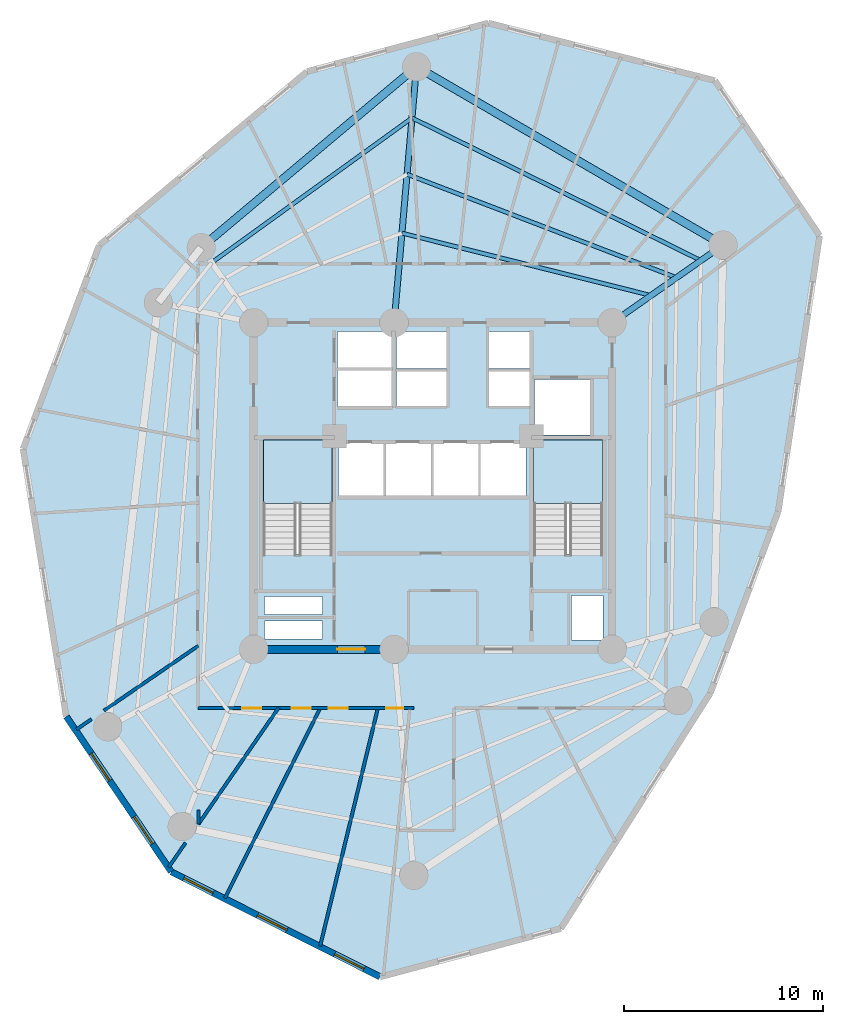
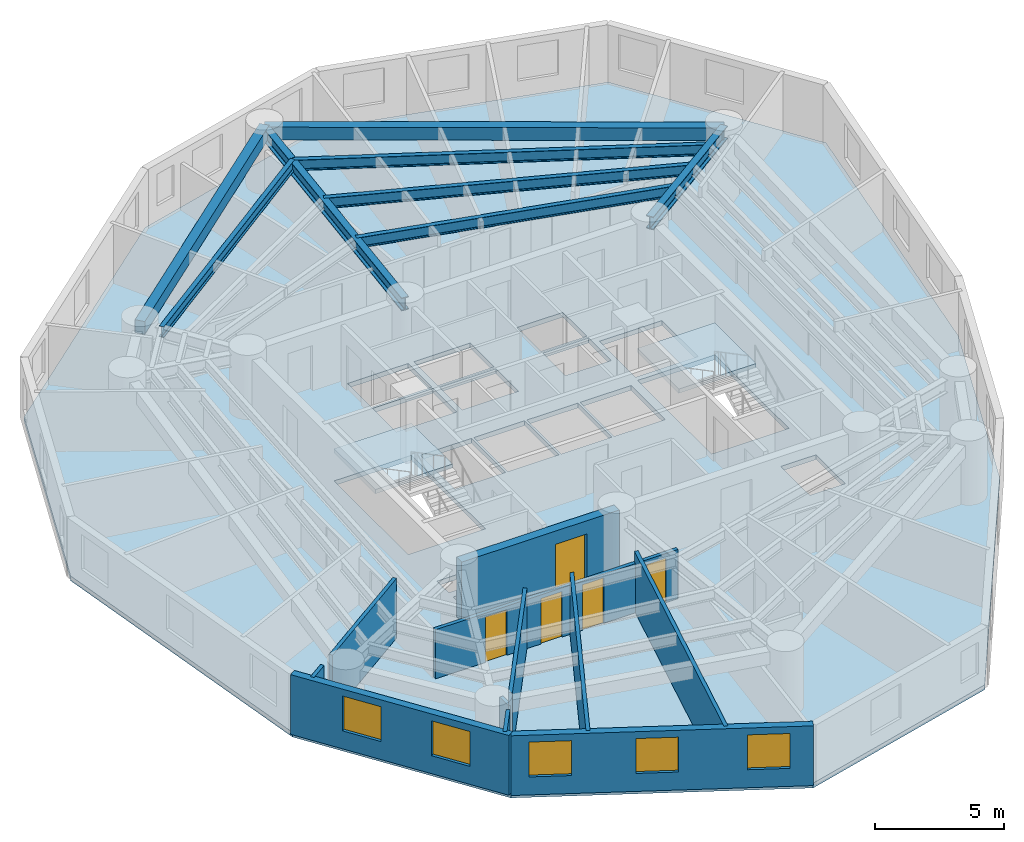
# One storey, part 2 of 7: 11 walls, 8 beams, 5 doors, 5 windows, 3 slabs, 10 openings, 2 elements without a shape of their own.
"""IFC4 building model written with IfcOpenShell, lengths in metres."""

from ifc_helpers import new_model, si_unit, direction, frame, frame_2d, origin, origin_with_axes, origin_2d, place, context, subcontext, project, spatial, polyline, rectangle, i_section, outline, extrude, source, transform, mapped, material, layer, layer_set, material_profile, profile_set, type_object, element, fill, aggregate, save


model = new_model("IFC4")

# Units and contexts
model_context = context("Model", 3, precision=1e-05, world=origin(), true_north=direction((0.0, 1.0)))
body_context = subcontext(model_context, "Body", "Model", "MODEL_VIEW")
ifc_project = project(units=[si_unit("LENGTHUNIT", "METRE"), si_unit("AREAUNIT", "SQUARE_METRE"), si_unit("VOLUMEUNIT", "CUBIC_METRE"), si_unit("PLANEANGLEUNIT", "RADIAN"), si_unit("MASSUNIT", "GRAM", prefix="KILO")], contexts=[model_context])

# Site, building, storey
site_placement = place(None, origin())
site = spatial("IfcSite", under=ifc_project, at=site_placement, CompositionType="ELEMENT")
building_placement = place(site_placement, origin())
building = spatial("IfcBuilding", under=site, at=building_placement, Name="Karkom Vertical University and Central Library", CompositionType="ELEMENT")
storey_placement = place(building_placement, frame((0.0, 0.0, 135.85009765625)))
storey = spatial("IfcBuildingStorey", under=building, at=storey_placement, Name="L38", CompositionType="ELEMENT", Elevation=135.85009765625)

# Beams
ifc_material_1 = material(Name="Precast concrete C45/55", Category="concrete")
ifc_material_profile_1 = material_profile(ifc_material_1, rectangle(XDim=0.39990234375, YDim=0.60009765625, at=origin_2d()), Name="SPB-400x600")
ifc_profile_set_1 = profile_set([ifc_material_profile_1], Name="Precast concrete C45/55")
beam_type_1 = type_object("IfcBeamType", Name="STR-BM-SP-1", PredefinedType="SPANDREL", material=ifc_profile_set_1)
shared_shape_1 = source(origin_with_axes(), body_context, "Body", "SweptSolid", [
    extrude(rectangle(XDim=0.39990234375, YDim=0.60009765625, at=origin_2d()), origin(), (0.0, 0.0, 1.0), 17.808837890625),
])
beam_1_placement = place(storey_placement, frame((43.070068359375, 38.60009765625, 2.52490234375), z_axis=(-0.864512866362, 0.502610688202, 0.0), x_axis=(-0.502610688202, -0.864512866362, 0.0)))
element("IfcBeam", 1, at=beam_1_placement, inside=storey, type_object=beam_type_1, Name="Level 38 Perimeter Spandrel Beam 02", PredefinedType="SPANDREL", context=body_context, shape_type="MappedRepresentation", body=[
    mapped(shared_shape_1, transform((0.0, 0.0, 0.0), scale=1.0)),
])
shared_shape_2 = source(origin_with_axes(), body_context, "Body", "SweptSolid", [
    extrude(rectangle(XDim=0.39990234375, YDim=0.60009765625, at=origin_2d()), origin(), (0.0, 0.0, 1.0), 14.120849609375),
])
beam_2_placement = place(storey_placement, frame((27.674072265625, 47.551025390625, 2.52490234375), z_axis=(-0.765672847866, -0.643230199883, 0.0), x_axis=(0.643230199883, -0.765672847866, 0.0)))
element("IfcBeam", 2, at=beam_2_placement, inside=storey, type_object=beam_type_1, Name="Level 38 Perimeter Spandrel Beam 03", PredefinedType="SPANDREL", context=body_context, shape_type="MappedRepresentation", body=[
    mapped(shared_shape_2, transform((0.0, 0.0, 0.0), scale=1.0)),
])
ifc_material_2 = material(Name="Steel S355", Category="steel")
ifc_material_profile_2 = material_profile(ifc_material_2, i_section(OverallWidth=0.199951171875, OverallDepth=0.5, WebThickness=0.01025390625, FlangeThickness=0.01611328125, FilletRadius=0.02099609375, at=origin_2d()), Name="IPE 500")
ifc_profile_set_2 = profile_set([ifc_material_profile_2], Name="Steel S355")
beam_type_2 = type_object("IfcBeamType", Name="STR-BM-SB-IPE500", PredefinedType="BEAM", material=ifc_profile_set_2)
shared_shape_3 = source(origin_with_axes(), body_context, "Body", "SweptSolid", [
    extrude(i_section(OverallWidth=0.199951171875, OverallDepth=0.5, WebThickness=0.01025390625, FlangeThickness=0.01611328125, FilletRadius=0.02099609375, at=origin_2d()), origin(), (0.0, 0.0, 1.0), 12.892578125),
])
beam_3_placement = place(storey_placement, frame((39.449462890625, 36.06494140625, 2.574951171875), z_axis=(-0.970023194321, 0.243012350468, 0.0), x_axis=(-0.243012350468, -0.970023194321, 0.0)))
element("IfcBeam", 3, at=beam_3_placement, inside=storey, type_object=beam_type_2, Name="Level 38 Secondary Composite Floor Beam 1.02", PredefinedType="BEAM", context=body_context, shape_type="MappedRepresentation", body=[
    mapped(shared_shape_3, transform((0.0, 0.0, 0.0), scale=1.0)),
])
shared_shape_4 = source(origin_with_axes(), body_context, "Body", "SweptSolid", [
    extrude(i_section(OverallWidth=0.199951171875, OverallDepth=0.5, WebThickness=0.01025390625, FlangeThickness=0.01611328125, FilletRadius=0.02099609375, at=origin_2d()), origin(), (0.0, 0.0, 1.0), 14.49072265625),
])
beam_4_placement = place(storey_placement, frame((40.730712890625, 36.9619140625, 2.574951171875), z_axis=(-0.93361673171, 0.35827335691, 0.0), x_axis=(-0.35827335691, -0.93361673171, 0.0)))
element("IfcBeam", 4, at=beam_4_placement, inside=storey, type_object=beam_type_2, Name="Level 38 Secondary Composite Floor Beam 2.02", PredefinedType="BEAM", context=body_context, shape_type="MappedRepresentation", body=[
    mapped(shared_shape_4, transform((0.0, 0.0, 0.0), scale=1.0)),
])
shared_shape_5 = source(origin_with_axes(), body_context, "Body", "SweptSolid", [
    extrude(i_section(OverallWidth=0.199951171875, OverallDepth=0.5, WebThickness=0.01025390625, FlangeThickness=0.01611328125, FilletRadius=0.02099609375, at=origin_2d()), origin(), (0.0, 0.0, 1.0), 16.177978515625),
])
beam_5_placement = place(storey_placement, frame((41.9560546875, 37.820068359375, 2.574951171875), z_axis=(-0.896709262653, 0.442620038263, 0.0), x_axis=(-0.442620038263, -0.896709262653, 0.0)))
element("IfcBeam", 5, at=beam_5_placement, inside=storey, type_object=beam_type_2, Name="Level 38 Secondary Composite Floor Beam 3.02", PredefinedType="BEAM", context=body_context, shape_type="MappedRepresentation", body=[
    mapped(shared_shape_5, transform((0.0, 0.0, 0.0), scale=1.0)),
])
shared_shape_6 = source(origin_with_axes(), body_context, "Body", "SweptSolid", [
    extrude(i_section(OverallWidth=0.199951171875, OverallDepth=0.5, WebThickness=0.01025390625, FlangeThickness=0.01611328125, FilletRadius=0.02099609375, at=origin_2d()), origin(), (0.0, 0.0, 1.0), 12.409423828125),
])
beam_6_placement = place(storey_placement, frame((27.44921875, 44.980712890625, 2.574951171875), z_axis=(-0.810636686292, -0.585549453793, 0.0), x_axis=(0.585549453793, -0.810636686292, 0.0)))
element("IfcBeam", 6, at=beam_6_placement, inside=storey, type_object=beam_type_2, Name="Level 38 Secondary Composite Floor Beam 3.03", PredefinedType="BEAM", context=body_context, shape_type="MappedRepresentation", body=[
    mapped(shared_shape_6, transform((0.0, 0.0, 0.0), scale=1.0)),
])
ifc_material_profile_3 = material_profile(ifc_material_2, i_section(OverallWidth=0.300048828125, OverallDepth=0.60009765625, WebThickness=0.015380859375, FlangeThickness=0.030029296875, FilletRadius=0.027099609375, at=origin_2d()), Name="HE 600 B")
ifc_profile_set_3 = profile_set([ifc_material_profile_3], Name="Steel S355")
beam_type_3 = type_object("IfcBeamType", Name="STR-BM-SB-HE600", PredefinedType="USERDEFINED", material=ifc_profile_set_3)
shared_shape_7 = source(origin_with_axes(), body_context, "Body", "SweptSolid", [
    extrude(i_section(OverallWidth=0.300048828125, OverallDepth=0.60009765625, WebThickness=0.015380859375, FlangeThickness=0.030029296875, FilletRadius=0.027099609375, at=origin_2d()), origin(), (0.0, 0.0, 1.0), 6.7998046875),
])
beam_7_placement = place(storey_placement, frame((37.5, 34.699951171875, 2.52490234375), z_axis=(0.819156008334, 0.573570775066, 0.0), x_axis=(-0.573570775066, 0.819156008334, 0.0)))
element("IfcBeam", 7, at=beam_7_placement, inside=storey, type_object=beam_type_3, Name="Level 38 Radial Frame Girder 02", ObjectType="GIRDER", PredefinedType="USERDEFINED", context=body_context, shape_type="MappedRepresentation", body=[
    mapped(shared_shape_7, transform((0.0, 0.0, 0.0), scale=1.0)),
])
shared_shape_8 = source(origin_with_axes(), body_context, "Body", "SweptSolid", [
    extrude(i_section(OverallWidth=0.300048828125, OverallDepth=0.60009765625, WebThickness=0.015380859375, FlangeThickness=0.030029296875, FilletRadius=0.027099609375, at=origin_2d()), origin(), (0.0, 0.0, 1.0), 12.900146484375),
])
beam_8_placement = place(storey_placement, frame((26.550048828125, 34.699951171875, 2.52490234375), z_axis=(0.087132673751, 0.996196716098, 0.0), x_axis=(-0.996196716098, 0.087132673751, 0.0)))
element("IfcBeam", 8, at=beam_8_placement, inside=storey, type_object=beam_type_3, Name="Level 38 Radial Frame Girder 03", ObjectType="GIRDER", PredefinedType="USERDEFINED", context=body_context, shape_type="MappedRepresentation", body=[
    mapped(shared_shape_8, transform((0.0, 0.0, 0.0), scale=1.0)),
])

# Stair, slab
ifc_material_3 = material(Name="Concrete C45/55", Category="concrete")
stair_type = type_object("IfcStairType", Name="INT-STR-ST-MAIN", PredefinedType="HALF_TURN_STAIR", material=ifc_material_3)
stair_1_placement = place(storey_placement, origin())
stair_1 = element("IfcStair", 9, at=stair_1_placement, inside=storey, type_object=stair_type, Name="Level 38 Tower Protected Exit Stair ST-1", PredefinedType="HALF_TURN_STAIR")
ifc_layer_1 = layer(ifc_material_3, 0.199951171875)
ifc_layer_set_1 = layer_set([ifc_layer_1], Name="Concrete C45/55")
slab_type_1 = type_object("IfcSlabType", Name="INT-SLB-LANDING", PredefinedType="LANDING", material=ifc_layer_set_1)
slab_1_placement = place(storey_placement, frame((0.0, 0.0, 1.324951171875)))
slab_1 = element("IfcSlab", 10, at=slab_1_placement, type_object=slab_type_1, Name="ST-1 landing 1", PredefinedType="LANDING", context=body_context, shape_type="SweptSolid", body=[
    extrude(outline(polyline([(23.43994140625, 25.6298828125), (23.43994140625, 28.820068359375), (19.97998046875, 28.820068359375), (19.97998046875, 25.6298828125), (23.43994140625, 25.6298828125)])), origin(), (0.0, 0.0, 1.0), 0.199951171875),
])
aggregate(stair_1, [slab_1])

stair_2_placement = place(storey_placement, origin())
stair_2 = element("IfcStair", 11, at=stair_2_placement, inside=storey, type_object=stair_type, Name="Level 38 Tower Protected Exit Stair ST-2", PredefinedType="HALF_TURN_STAIR")
slab_2_placement = place(storey_placement, frame((0.0, 0.0, 1.324951171875)))
slab_2 = element("IfcSlab", 12, at=slab_2_placement, type_object=slab_type_1, Name="ST-2 landing 1", PredefinedType="LANDING", context=body_context, shape_type="SweptSolid", body=[
    extrude(outline(polyline([(37.02001953125, 25.6298828125), (37.02001953125, 28.820068359375), (33.56005859375, 28.820068359375), (33.56005859375, 25.6298828125), (37.02001953125, 25.6298828125)])), origin(), (0.0, 0.0, 1.0), 0.199951171875),
])
aggregate(stair_2, [slab_2])

# Slab
ifc_layer_2 = layer(ifc_material_3, 0.22509765625)
ifc_layer_set_2 = layer_set([ifc_layer_2], Name="Concrete C45/55")
slab_type_2 = type_object("IfcSlabType", Name="STR-SLB-FLR-225", PredefinedType="FLOOR", material=ifc_layer_set_2)
slab_3_placement = place(storey_placement, frame((0.0, 0.0, -0.22509765625)))
element("IfcSlab", 13, at=slab_3_placement, inside=storey, type_object=slab_type_2, Name="Level 38 Tower Structural Floor Slab", PredefinedType="FLOOR", context=body_context, shape_type="SweptSolid", body=[
    extrude(outline(polyline([(11.73876953125, 38.5791015625), (7.924072265625, 28.36572265625), (10.08837890625, 14.927978515625), (15.36083984375, 7.127197265625), (25.845703125, 1.85009765625), (34.92138671875, 4.279296875), (42.4287109375, 16.102294921875), (45.83447265625, 25.22119140625), (47.91552734375, 39.07080078125), (42.654296875, 46.85498046875), (31.27734375, 49.742919921875), (22.18212890625, 47.308349609375), (11.73876953125, 38.5791015625)]), holes=[polyline([(19.97998046875, 23.0849609375), (23.43994140625, 23.0849609375), (23.43994140625, 28.820068359375), (19.97998046875, 28.820068359375), (19.97998046875, 23.0849609375)]), polyline([(33.56005859375, 23.0849609375), (37.02001953125, 23.0849609375), (37.02001953125, 28.820068359375), (33.56005859375, 28.820068359375), (33.56005859375, 23.0849609375)]), polyline([(23.75, 26.0), (26.030029296875, 26.0), (26.030029296875, 28.64990234375), (23.75, 28.64990234375), (23.75, 26.0)]), polyline([(26.1298828125, 26.0), (28.409912109375, 26.0), (28.409912109375, 28.64990234375), (26.1298828125, 28.64990234375), (26.1298828125, 26.0)]), polyline([(28.510009765625, 26.0), (30.7900390625, 26.0), (30.7900390625, 28.64990234375), (28.510009765625, 28.64990234375), (28.510009765625, 26.0)]), polyline([(30.889892578125, 26.0), (33.169921875, 26.0), (33.169921875, 28.64990234375), (30.889892578125, 28.64990234375), (30.889892578125, 26.0)]), polyline([(26.679931640625, 30.5), (29.199951171875, 30.5), (29.199951171875, 32.25), (26.679931640625, 32.25), (26.679931640625, 30.5)]), polyline([(26.679931640625, 32.39990234375), (29.199951171875, 32.39990234375), (29.199951171875, 34.25), (26.679931640625, 34.25), (26.679931640625, 32.39990234375)]), polyline([(31.300048828125, 30.5), (33.35009765625, 30.5), (33.35009765625, 32.25), (31.300048828125, 32.25), (31.300048828125, 30.5)]), polyline([(31.300048828125, 32.39990234375), (33.35009765625, 32.39990234375), (33.35009765625, 34.25), (31.300048828125, 34.25), (31.300048828125, 32.39990234375)]), polyline([(23.719970703125, 30.47998046875), (26.429931640625, 30.47998046875), (26.429931640625, 32.320068359375), (23.719970703125, 32.320068359375), (23.719970703125, 30.47998046875)]), polyline([(23.719970703125, 32.419921875), (26.429931640625, 32.419921875), (26.429931640625, 34.260009765625), (23.719970703125, 34.260009765625), (23.719970703125, 32.419921875)]), polyline([(33.60009765625, 29.050048828125), (36.39990234375, 29.050048828125), (36.39990234375, 31.85009765625), (33.60009765625, 31.85009765625), (33.60009765625, 29.050048828125)]), polyline([(20.050048828125, 18.820068359375), (22.949951171875, 18.820068359375), (22.949951171875, 19.719970703125), (20.050048828125, 19.719970703125), (20.050048828125, 18.820068359375)]), polyline([(20.050048828125, 20.06005859375), (22.949951171875, 20.06005859375), (22.949951171875, 20.9599609375), (20.050048828125, 20.9599609375), (20.050048828125, 20.06005859375)]), polyline([(35.4599609375, 18.760009765625), (37.0400390625, 18.760009765625), (37.0400390625, 21.010009765625), (35.4599609375, 21.010009765625), (35.4599609375, 18.760009765625)])]), origin(), (0.0, 0.0, 1.0), 0.22509765625),
])

# Wall, openings, windows
ifc_material_4 = material(Name="Brick-faced precast concrete C45/55", Category="masonry")
ifc_layer_3 = layer(ifc_material_4, 0.320068359375)
ifc_layer_set_3 = layer_set([ifc_layer_3], Name="Brick-faced precast concrete C45/55")
wall_type_1 = type_object("IfcWallType", Name="ENV-WL-BRK-320", PredefinedType="SOLIDWALL", material=ifc_layer_set_3)
wall_1_placement = place(storey_placement, frame((10.08837890625, 14.927978515625, 0.0), z_axis=(0.0, 0.0, 1.0), x_axis=(0.559978653474, -0.828507035368, 0.0)))
wall_1 = element("IfcWall", 14, at=wall_1_placement, inside=storey, type_object=wall_type_1, Name="Level 38 Brick-Faced Precast Facade Wall 03", PredefinedType="SOLIDWALL", context=body_context, shape_type="SweptSolid", body=[
    extrude(rectangle(XDim=9.41552734375, YDim=0.320068359375, at=frame_2d((4.707763671875, 0.0))), origin(), (0.0, 0.0, 1.0), 2.824951171875),
])
opening_1_placement = place(wall_1_placement, frame((2.241455078125, 0.0, 0.85009765625)))
opening_1 = element("IfcOpeningElement", 15, at=opening_1_placement, cuts=wall_1, Name="Opening WN-06", PredefinedType="OPENING", context=body_context, shape_type="SweptSolid", body=[
    extrude(rectangle(XDim=1.64990234375, YDim=1.64990234375, at=frame_2d((0.824951171875, 0.824951171875))), frame((0.0, 0.169921875, 0.0), z_axis=(0.0, -1.0, 0.0), x_axis=(1.0, 0.0, 0.0)), (0.0, 0.0, 1.0), 0.340087890625),
])
opening_2_placement = place(wall_1_placement, frame((6.07568359375, 0.0, 0.85009765625)))
opening_2 = element("IfcOpeningElement", 16, at=opening_2_placement, cuts=wall_1, Name="Opening WN-06", PredefinedType="OPENING", context=body_context, shape_type="SweptSolid", body=[
    extrude(rectangle(XDim=1.64990234375, YDim=1.64990234375, at=frame_2d((0.824951171875, 0.824951171875))), frame((0.0, 0.169921875, 0.0), z_axis=(0.0, -1.0, 0.0), x_axis=(1.0, 0.0, 0.0)), (0.0, 0.0, 1.0), 0.340087890625),
])
ifc_material_5 = material(Name="Aluminium thermal-break frame with solar-control IGU", Category="aluminium")
window_type = type_object("IfcWindowType", Name="ENV-WIN-WN-06", PartitioningType="SINGLE_PANEL", PredefinedType="WINDOW", material=ifc_material_5)
shared_shape_9 = source(origin_with_axes(), body_context, "Body", "SweptSolid", [
    extrude(rectangle(XDim=1.64990234375, YDim=1.64990234375, at=frame_2d((0.824951171875, 0.824951171875))), frame((0.0, 0.030029296875, 0.0), z_axis=(0.0, -1.0, 0.0), x_axis=(1.0, 0.0, 0.0)), (0.0, 0.0, 1.0), 0.06005859375),
])
window_1_placement = place(opening_1_placement, origin())
window_1 = element("IfcWindow", 17, at=window_1_placement, inside=storey, type_object=window_type, Name="Level 38 Punched Window 3.1", OverallHeight=1.64990234375, OverallWidth=1.64990234375, PartitioningType="SINGLE_PANEL", PredefinedType="WINDOW", context=body_context, shape_type="MappedRepresentation", body=[
    mapped(shared_shape_9, transform((0.0, 0.0, 0.0), scale=1.0)),
])
fill(opening_1, window_1)
window_2_placement = place(opening_2_placement, origin())
window_2 = element("IfcWindow", 18, at=window_2_placement, inside=storey, type_object=window_type, Name="Level 38 Punched Window 3.2", OverallHeight=1.64990234375, OverallWidth=1.64990234375, PartitioningType="SINGLE_PANEL", PredefinedType="WINDOW", context=body_context, shape_type="MappedRepresentation", body=[
    mapped(shared_shape_9, transform((0.0, 0.0, 0.0), scale=1.0)),
])
fill(opening_2, window_2)

wall_2_placement = place(storey_placement, frame((15.36083984375, 7.127197265625, 0.0), z_axis=(0.0, 0.0, 1.0), x_axis=(0.893242675261, -0.449574824798, 0.0)))
wall_2 = element("IfcWall", 19, at=wall_2_placement, inside=storey, type_object=wall_type_1, Name="Level 38 Brick-Faced Precast Facade Wall 04", PredefinedType="SOLIDWALL", context=body_context, shape_type="SweptSolid", body=[
    extrude(rectangle(XDim=11.738037109375, YDim=0.320068359375, at=frame_2d((5.869140625, 0.0))), origin(), (0.0, 0.0, 1.0), 2.824951171875),
])
opening_3_placement = place(wall_2_placement, frame((0.70458984375, 0.0, 0.85009765625)))
opening_3 = element("IfcOpeningElement", 20, at=opening_3_placement, cuts=wall_2, Name="Opening WN-06", PredefinedType="OPENING", context=body_context, shape_type="SweptSolid", body=[
    extrude(rectangle(XDim=1.64990234375, YDim=1.64990234375, at=frame_2d((0.824951171875, 0.824951171875))), frame((0.0, 0.169921875, 0.0), z_axis=(0.0, -1.0, 0.0), x_axis=(1.0, 0.0, 0.0)), (0.0, 0.0, 1.0), 0.340087890625),
])
opening_4_placement = place(wall_2_placement, frame((4.848388671875, 0.0, 0.85009765625)))
opening_4 = element("IfcOpeningElement", 21, at=opening_4_placement, cuts=wall_2, Name="Opening WN-06", PredefinedType="OPENING", context=body_context, shape_type="SweptSolid", body=[
    extrude(rectangle(XDim=1.64990234375, YDim=1.64990234375, at=frame_2d((0.824951171875, 0.824951171875))), frame((0.0, 0.169921875, 0.0), z_axis=(0.0, -1.0, 0.0), x_axis=(1.0, 0.0, 0.0)), (0.0, 0.0, 1.0), 0.340087890625),
])
opening_5_placement = place(wall_2_placement, frame((9.187744140625, 0.0, 0.85009765625)))
opening_5 = element("IfcOpeningElement", 22, at=opening_5_placement, cuts=wall_2, Name="Opening WN-06", PredefinedType="OPENING", context=body_context, shape_type="SweptSolid", body=[
    extrude(rectangle(XDim=1.64990234375, YDim=1.64990234375, at=frame_2d((0.824951171875, 0.824951171875))), frame((0.0, 0.169921875, 0.0), z_axis=(0.0, -1.0, 0.0), x_axis=(1.0, 0.0, 0.0)), (0.0, 0.0, 1.0), 0.340087890625),
])
window_3_placement = place(opening_3_placement, origin())
window_3 = element("IfcWindow", 23, at=window_3_placement, inside=storey, type_object=window_type, Name="Level 38 Punched Window 4.1", OverallHeight=1.64990234375, OverallWidth=1.64990234375, PartitioningType="SINGLE_PANEL", PredefinedType="WINDOW", context=body_context, shape_type="MappedRepresentation", body=[
    mapped(shared_shape_9, transform((0.0, 0.0, 0.0), scale=1.0)),
])
fill(opening_3, window_3)
window_4_placement = place(opening_4_placement, origin())
window_4 = element("IfcWindow", 24, at=window_4_placement, inside=storey, type_object=window_type, Name="Level 38 Punched Window 4.2", OverallHeight=1.64990234375, OverallWidth=1.64990234375, PartitioningType="SINGLE_PANEL", PredefinedType="WINDOW", context=body_context, shape_type="MappedRepresentation", body=[
    mapped(shared_shape_9, transform((0.0, 0.0, 0.0), scale=1.0)),
])
fill(opening_4, window_4)
window_5_placement = place(opening_5_placement, origin())
window_5 = element("IfcWindow", 25, at=window_5_placement, inside=storey, type_object=window_type, Name="Level 38 Punched Window 4.3", OverallHeight=1.64990234375, OverallWidth=1.64990234375, PartitioningType="SINGLE_PANEL", PredefinedType="WINDOW", context=body_context, shape_type="MappedRepresentation", body=[
    mapped(shared_shape_9, transform((0.0, 0.0, 0.0), scale=1.0)),
])
fill(opening_5, window_5)

# Wall
ifc_material_6 = material(Name="Insulated metal-stud drywall 160mm", Category="gypsum")
ifc_layer_4 = layer(ifc_material_6, 0.159912109375)
ifc_layer_set_4 = layer_set([ifc_layer_4], Name="Insulated metal-stud drywall 160mm")
wall_type_2 = type_object("IfcWallType", Name="INT-WL-COR-160", PredefinedType="PARTITIONING", material=ifc_layer_set_4)
wall_3_placement = place(storey_placement, frame((25.741943359375, 15.379150390625, 0.0), z_axis=(0.0, 0.0, 1.0), x_axis=(-0.235611924803, -0.971847220961, 0.0)))
element("IfcWall", 26, at=wall_3_placement, inside=storey, type_object=wall_type_2, Name="Level 38 Interior Partition Wall L38-PW-009", PredefinedType="PARTITIONING", context=body_context, shape_type="SweptSolid", body=[
    extrude(rectangle(XDim=12.331787109375, YDim=0.159912109375, at=frame_2d((6.166015625, 0.0))), origin(), (0.0, 0.0, 1.0), 2.824951171875),
])

# Wall, openings, doors
wall_4_placement = place(storey_placement, frame((27.550048828125, 15.35009765625, 0.0), z_axis=(0.0, 0.0, 1.0), x_axis=(-1.0, 0.0, 0.0)))
wall_4 = element("IfcWall", 27, at=wall_4_placement, inside=storey, type_object=wall_type_2, Name="Level 38 Interior Partition Wall L38-CORW-CW-001", PredefinedType="PARTITIONING", context=body_context, shape_type="SweptSolid", body=[
    extrude(rectangle(XDim=10.85009765625, YDim=0.159912109375, at=frame_2d((5.425048828125, 0.0))), origin(), (0.0, 0.0, 1.0), 2.324951171875),
])
opening_6_placement = place(wall_4_placement, frame((7.66259765625, 0.0, 0.0)))
opening_6 = element("IfcOpeningElement", 28, at=opening_6_placement, cuts=wall_4, Name="Opening D-RM1", PredefinedType="OPENING", context=body_context, shape_type="SweptSolid", body=[
    extrude(rectangle(XDim=0.949951171875, YDim=2.14990234375, at=frame_2d((0.47509765625, 1.074951171875))), frame((0.0, 0.08984375, 0.0), z_axis=(0.0, -1.0, 0.0), x_axis=(1.0, 0.0, 0.0)), (0.0, 0.0, 1.0), 0.179931640625),
])
opening_7_placement = place(wall_4_placement, frame((5.18994140625, 0.0, 0.0)))
opening_7 = element("IfcOpeningElement", 29, at=opening_7_placement, cuts=wall_4, Name="Opening D-RM1", PredefinedType="OPENING", context=body_context, shape_type="SweptSolid", body=[
    extrude(rectangle(XDim=0.949951171875, YDim=2.14990234375, at=frame_2d((0.47509765625, 1.074951171875))), frame((0.0, 0.08984375, 0.0), z_axis=(0.0, -1.0, 0.0), x_axis=(1.0, 0.0, 0.0)), (0.0, 0.0, 1.0), 0.179931640625),
])
opening_8_placement = place(wall_4_placement, frame((3.322509765625, 0.0, 0.0)))
opening_8 = element("IfcOpeningElement", 30, at=opening_8_placement, cuts=wall_4, Name="Opening D-RM1", PredefinedType="OPENING", context=body_context, shape_type="SweptSolid", body=[
    extrude(rectangle(XDim=0.949951171875, YDim=2.14990234375, at=frame_2d((0.47509765625, 1.074951171875))), frame((0.0, 0.08984375, 0.0), z_axis=(0.0, -1.0, 0.0), x_axis=(1.0, 0.0, 0.0)), (0.0, 0.0, 1.0), 0.179931640625),
])
opening_9_placement = place(wall_4_placement, frame((0.53466796875, 0.0, 0.0)))
opening_9 = element("IfcOpeningElement", 31, at=opening_9_placement, cuts=wall_4, Name="Opening D-BATH", PredefinedType="OPENING", context=body_context, shape_type="SweptSolid", body=[
    extrude(rectangle(XDim=0.860107421875, YDim=2.10009765625, at=frame_2d((0.43017578125, 1.050048828125))), frame((0.0, 0.08984375, 0.0), z_axis=(0.0, -1.0, 0.0), x_axis=(1.0, 0.0, 0.0)), (0.0, 0.0, 1.0), 0.179931640625),
])
ifc_material_7 = material(Name="Moisture-resistant oak door", Category="wood")
door_type_1 = type_object("IfcDoorType", Name="INT-DR-BATH", OperationType="NOTDEFINED", PredefinedType="DOOR", material=ifc_material_7)
shared_shape_10 = source(origin_with_axes(), body_context, "Body", "SweptSolid", [
    extrude(rectangle(XDim=0.860107421875, YDim=2.10009765625, at=frame_2d((0.43017578125, 1.050048828125))), frame((0.0, 0.02490234375, 0.0), z_axis=(0.0, -1.0, 0.0), x_axis=(1.0, 0.0, 0.0)), (0.0, 0.0, 1.0), 0.050048828125),
])
door_1_placement = place(opening_9_placement, origin())
door_1 = element("IfcDoor", 32, at=door_1_placement, inside=storey, type_object=door_type_1, Name="Level 38 Room Entry Door 050", OperationType="SINGLE_SWING_RIGHT", OverallHeight=2.10009765625, OverallWidth=0.860107421875, PredefinedType="DOOR", context=body_context, shape_type="MappedRepresentation", body=[
    mapped(shared_shape_10, transform((0.0, 0.0, 0.0), scale=1.0)),
])
fill(opening_9, door_1)
ifc_material_8 = material(Name="Solid-core oak veneer door", Category="wood")
door_type_2 = type_object("IfcDoorType", Name="INT-DR-RM1", OperationType="NOTDEFINED", PredefinedType="DOOR", material=ifc_material_8)
shared_shape_11 = source(origin_with_axes(), body_context, "Body", "SweptSolid", [
    extrude(rectangle(XDim=0.949951171875, YDim=2.14990234375, at=frame_2d((0.47509765625, 1.074951171875))), frame((0.0, 0.02490234375, 0.0), z_axis=(0.0, -1.0, 0.0), x_axis=(1.0, 0.0, 0.0)), (0.0, 0.0, 1.0), 0.050048828125),
])
door_2_placement = place(opening_6_placement, origin())
door_2 = element("IfcDoor", 33, at=door_2_placement, inside=storey, type_object=door_type_2, Name="Level 38 Room Entry Door 020", OperationType="SINGLE_SWING_LEFT", OverallHeight=2.14990234375, OverallWidth=0.949951171875, PredefinedType="DOOR", context=body_context, shape_type="MappedRepresentation", body=[
    mapped(shared_shape_11, transform((0.0, 0.0, 0.0), scale=1.0)),
])
fill(opening_6, door_2)
door_3_placement = place(opening_7_placement, origin())
door_3 = element("IfcDoor", 34, at=door_3_placement, inside=storey, type_object=door_type_2, Name="Level 38 Room Entry Door 030", OperationType="SINGLE_SWING_RIGHT", OverallHeight=2.14990234375, OverallWidth=0.949951171875, PredefinedType="DOOR", context=body_context, shape_type="MappedRepresentation", body=[
    mapped(shared_shape_11, transform((0.0, 0.0, 0.0), scale=1.0)),
])
fill(opening_7, door_3)
door_4_placement = place(opening_8_placement, origin())
door_4 = element("IfcDoor", 35, at=door_4_placement, inside=storey, type_object=door_type_2, Name="Level 38 Room Entry Door 040", OperationType="SINGLE_SWING_LEFT", OverallHeight=2.14990234375, OverallWidth=0.949951171875, PredefinedType="DOOR", context=body_context, shape_type="MappedRepresentation", body=[
    mapped(shared_shape_11, transform((0.0, 0.0, 0.0), scale=1.0)),
])
fill(opening_8, door_4)

# Walls
wall_5_placement = place(storey_placement, frame((22.85400390625, 15.376708984375, 0.0), z_axis=(0.0, 0.0, 1.0), x_axis=(-0.448325403078, -0.893870422911, 0.0)))
element("IfcWall", 36, at=wall_5_placement, inside=storey, type_object=wall_type_2, Name="Level 38 Interior Partition Wall L38-PW-008", PredefinedType="PARTITIONING", context=body_context, shape_type="SweptSolid", body=[
    extrude(rectangle(XDim=10.712646484375, YDim=0.159912109375, at=frame_2d((5.3564453125, 0.0))), origin(), (0.0, 0.0, 1.0), 2.824951171875),
])
wall_6_placement = place(storey_placement, frame((20.7587890625, 15.374755859375, 0.0), z_axis=(0.0, 0.0, 1.0), x_axis=(-0.567487382716, -0.823382092627, 0.0)))
element("IfcWall", 37, at=wall_6_placement, inside=storey, type_object=wall_type_2, Name="Level 38 Interior Partition Wall L38-PW-005", PredefinedType="PARTITIONING", context=body_context, shape_type="SweptSolid", body=[
    extrude(rectangle(XDim=7.109619140625, YDim=0.159912109375, at=frame_2d((3.5546875, 0.0))), origin(), (0.0, 0.0, 1.0), 2.824951171875),
])
wall_7_placement = place(storey_placement, frame((16.724609375, 18.481201171875, 0.0), z_axis=(0.0, 0.0, 1.0), x_axis=(-0.8241595355, -0.566357713856, 0.0)))
element("IfcWall", 38, at=wall_7_placement, inside=storey, type_object=wall_type_2, Name="Level 38 Interior Partition Wall L38-PW-004", PredefinedType="PARTITIONING", context=body_context, shape_type="SweptSolid", body=[
    extrude(rectangle(XDim=5.753173828125, YDim=0.159912109375, at=frame_2d((2.87646484375, 0.0))), origin(), (0.0, 0.0, 1.0), 2.824951171875),
])
wall_8_placement = place(storey_placement, frame((16.074951171875, 8.5791015625, 0.0), z_axis=(0.0, 0.0, 1.0), x_axis=(-0.567566818145, -0.823327338876, 0.0)))
element("IfcWall", 39, at=wall_8_placement, inside=storey, type_object=wall_type_2, Name="Level 38 Interior Partition Wall L38-PW-007", PredefinedType="PARTITIONING", context=body_context, shape_type="SweptSolid", body=[
    extrude(rectangle(XDim=1.476806640625, YDim=0.159912109375, at=frame_2d((0.73828125, 0.0))), origin(), (0.0, 0.0, 1.0), 2.824951171875),
])
wall_9_placement = place(storey_placement, frame((11.35205078125, 14.789306640625, 0.0), z_axis=(0.0, 0.0, 1.0), x_axis=(-0.82424554838, -0.566232528186, 0.0)))
element("IfcWall", 40, at=wall_9_placement, inside=storey, type_object=wall_type_2, Name="Level 38 Interior Partition Wall L38-PW-003", PredefinedType="PARTITIONING", context=body_context, shape_type="SweptSolid", body=[
    extrude(rectangle(XDim=0.909423828125, YDim=0.159912109375, at=frame_2d((0.45458984375, 0.0))), origin(), (0.0, 0.0, 1.0), 2.824951171875),
])
wall_10_placement = place(storey_placement, frame((16.72412109375, 9.520751953125, 0.0), z_axis=(0.0, 0.0, 1.0), x_axis=(0.0, 1.0, 0.0)))
element("IfcWall", 41, at=wall_10_placement, inside=storey, type_object=wall_type_2, Name="Level 38 Interior Partition Wall L38-PW-006", PredefinedType="PARTITIONING", context=body_context, shape_type="SweptSolid", body=[
    extrude(rectangle(XDim=0.6982421875, YDim=0.159912109375, at=frame_2d((0.34912109375, 0.0))), origin(), (0.0, 0.0, 1.0), 2.224853515625),
])

# Wall, opening, door
ifc_material_9 = material(Name="Concrete C50/60", Category="concrete")
ifc_layer_5 = layer(ifc_material_9, 0.39990234375)
ifc_layer_set_5 = layer_set([ifc_layer_5], Name="Concrete C50/60")
wall_type_3 = type_object("IfcWallType", Name="STR-WL-CW-400", PredefinedType="SHEAR", material=ifc_layer_set_5)
wall_11_placement = place(storey_placement, frame((19.5, 18.300048828125, 0.0), z_axis=(0.0, 0.0, 1.0), x_axis=(1.0, 0.0, 0.0)))
wall_11 = element("IfcWall", 42, at=wall_11_placement, inside=storey, type_object=wall_type_3, Name="Level 38 Central Core Shear Wall SW1", PredefinedType="SHEAR", context=body_context, shape_type="SweptSolid", body=[
    extrude(rectangle(XDim=7.050048828125, YDim=0.39990234375, at=frame_2d((3.52490234375, 0.0))), origin(), (0.0, 0.0, 1.0), 2.824951171875),
])
opening_10_placement = place(wall_11_placement, frame((4.199951171875, 0.0, 0.0)))
opening_10 = element("IfcOpeningElement", 43, at=opening_10_placement, cuts=wall_11, Name="Opening FD-CLB", PredefinedType="OPENING", context=body_context, shape_type="SweptSolid", body=[
    extrude(rectangle(XDim=1.39990234375, YDim=2.199951171875, at=frame_2d((0.699951171875, 1.10009765625))), frame((0.0, 0.2099609375, 0.0), z_axis=(0.0, -1.0, 0.0), x_axis=(1.0, 0.0, 0.0)), (0.0, 0.0, 1.0), 0.419921875),
])
ifc_material_10 = material(Name="Painted steel fire door", Category="steel")
door_type_3 = type_object("IfcDoorType", Name="INT-DR-CLB", OperationType="DOUBLE_DOOR_SINGLE_SWING", PredefinedType="DOOR", material=ifc_material_10)
shared_shape_12 = source(origin_with_axes(), body_context, "Body", "SweptSolid", [
    extrude(rectangle(XDim=1.39990234375, YDim=2.199951171875, at=frame_2d((0.699951171875, 1.10009765625))), frame((0.0, 0.02490234375, 0.0), z_axis=(0.0, -1.0, 0.0), x_axis=(1.0, 0.0, 0.0)), (0.0, 0.0, 1.0), 0.050048828125),
])
door_5_placement = place(opening_10_placement, origin())
door_5 = element("IfcDoor", 44, at=door_5_placement, inside=storey, type_object=door_type_3, Name="Level 38 South Core Lobby West Exit Door", OperationType="DOUBLE_DOOR_SINGLE_SWING", OverallHeight=2.199951171875, OverallWidth=1.39990234375, PredefinedType="DOOR", context=body_context, shape_type="MappedRepresentation", body=[
    mapped(shared_shape_12, transform((0.0, 0.0, 0.0), scale=1.0)),
])
fill(opening_10, door_5)

save(model, "model.ifc")
